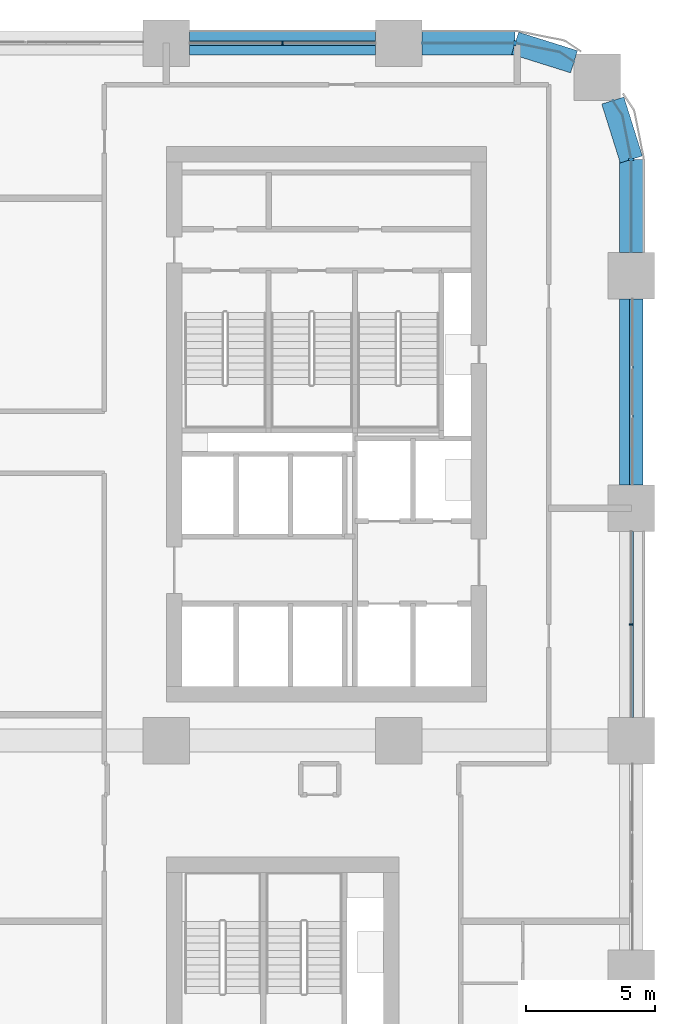
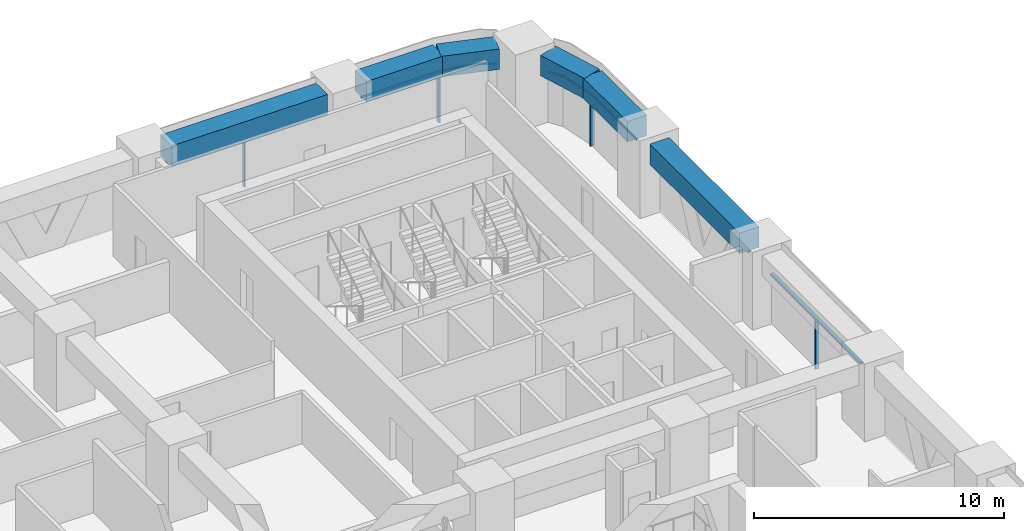
# One storey, part 10 of 24: 9 members, 6 beams, 5 elements without a shape of their own.
"""IFC4 building model written with IfcOpenShell, lengths in metres."""

from ifc_helpers import new_model, si_unit, direction, frame, origin, origin_2d, place, context, subcontext, project, spatial, polyline, rectangle, outline, extrude, material, material_profile, profile_set, type_object, element, aggregate, save


model = new_model("IFC4")

# Units and contexts
model_context = context("Model", 3, precision=1e-05, world=origin(), true_north=direction((0.0, 1.0)))
body_context = subcontext(model_context, "Body", "Model", "MODEL_VIEW")
ifc_project = project(units=[si_unit("LENGTHUNIT", "METRE"), si_unit("AREAUNIT", "SQUARE_METRE"), si_unit("VOLUMEUNIT", "CUBIC_METRE"), si_unit("PLANEANGLEUNIT", "RADIAN"), si_unit("MASSUNIT", "GRAM", prefix="KILO")], contexts=[model_context])

# Site, building, storey
site_placement = place(None, origin())
site = spatial("IfcSite", under=ifc_project, at=site_placement, CompositionType="ELEMENT")
building_placement = place(site_placement, origin())
building = spatial("IfcBuilding", under=site, at=building_placement, Name="Tessera Arch", CompositionType="ELEMENT")
storey_placement = place(building_placement, frame((0.0, 0.0, 38.60009765625)))
storey = spatial("IfcBuildingStorey", under=building, at=storey_placement, Name="L07", CompositionType="ELEMENT", Elevation=38.60009765625)

# Curtain wall, member
ifc_material_1 = material(Name="CW1 curtain wall")
curtain_wall_type_1 = type_object("IfcCurtainWallType", Name="CW1 curtain wall", PredefinedType="NOTDEFINED", material=ifc_material_1)
curtain_wall_1_placement = place(storey_placement, origin())
curtain_wall_1 = element("IfcCurtainWall", 1, at=curtain_wall_1_placement, inside=storey, type_object=curtain_wall_type_1, Name="CW1 curtain wall E54.0/3 L07", PredefinedType="NOTDEFINED")
ifc_material_2 = material(Name="Anodised aluminium pale metal", Category="aluminium")
ifc_material_profile_1 = material_profile(ifc_material_2, rectangle(XDim=0.159912109375, YDim=0.06005859375, at=origin_2d()), Name="AL 60x160")
ifc_profile_set_1 = profile_set([ifc_material_profile_1], Name="Anodised aluminium pale metal")
member_type_1 = type_object("IfcMemberType", Name="CW1 mullion", PredefinedType="MULLION", material=ifc_profile_set_1)
member_1_placement = place(storey_placement, frame((54.0, 31.5, 0.0), z_axis=(0.0, 0.0, 1.0), x_axis=(-1.0, 0.0, 0.0)))
member_1 = element("IfcMember", 2, at=member_1_placement, type_object=member_type_1, Name="CW1 mullion E54.0/3 1", PredefinedType="MULLION", context=body_context, shape_type="SweptSolid", body=[
    extrude(rectangle(XDim=0.159912109375, YDim=0.06005859375, at=origin_2d()), origin(), (0.0, 0.0, 1.0), 2.39990234375),
])

curtain_wall_2_placement = place(storey_placement, origin())
curtain_wall_2 = element("IfcCurtainWall", 3, at=curtain_wall_2_placement, inside=storey, type_object=curtain_wall_type_1, Name="CW1 curtain wall N54.0/1 L07", PredefinedType="NOTDEFINED")
member_2_placement = place(storey_placement, frame((40.5, 54.0, 0.0), z_axis=(0.0, 0.0, 1.0), x_axis=(0.0, -1.0, 0.0)))
member_2 = element("IfcMember", 4, at=member_2_placement, type_object=member_type_1, Name="CW1 mullion N54.0/1 1", PredefinedType="MULLION", context=body_context, shape_type="SweptSolid", body=[
    extrude(rectangle(XDim=0.159912109375, YDim=0.06005859375, at=origin_2d()), origin(), (0.0, 0.0, 1.0), 2.39990234375),
])

# Member
ifc_material_3 = material(Name="Anodised aluminium pale metal", Category="aluminium")
ifc_material_profile_2 = material_profile(ifc_material_3, rectangle(XDim=0.159912109375, YDim=0.10009765625, at=origin_2d()), Name="AL 160x100")
ifc_profile_set_2 = profile_set([ifc_material_profile_2], Name="Anodised aluminium pale metal")
member_type_2 = type_object("IfcMemberType", Name="CW1 transom", PredefinedType="USERDEFINED", material=ifc_profile_set_2)
member_3_placement = place(storey_placement, frame((54.0, 27.89990234375, 2.449951171875), z_axis=(0.0, 1.0, 0.0), x_axis=(-1.0, 0.0, 0.0)))
member_3 = element("IfcMember", 5, at=member_3_placement, type_object=member_type_2, Name="CW1 transom E54.0/3 1.1", ObjectType="TRANSOM", PredefinedType="USERDEFINED", context=body_context, shape_type="SweptSolid", body=[
    extrude(rectangle(XDim=0.159912109375, YDim=0.10009765625, at=origin_2d()), origin(), (0.0, 0.0, 1.0), 7.2001953125),
])

aggregate(curtain_wall_1, [member_1, member_3])

member_4_placement = place(storey_placement, frame((44.10009765625, 54.0, 2.449951171875), z_axis=(-1.0, 0.0, 0.0), x_axis=(0.0, -1.0, 0.0)))
member_4 = element("IfcMember", 6, at=member_4_placement, type_object=member_type_2, Name="CW1 transom N54.0/1 1.1", ObjectType="TRANSOM", PredefinedType="USERDEFINED", context=body_context, shape_type="SweptSolid", body=[
    extrude(rectangle(XDim=0.159912109375, YDim=0.10009765625, at=origin_2d()), origin(), (0.0, 0.0, 1.0), 7.2001953125),
])

aggregate(curtain_wall_2, [member_2, member_4])

# Curtain wall, member
ifc_material_4 = material(Name="CW2 curtain wall")
curtain_wall_type_2 = type_object("IfcCurtainWallType", Name="CW2 curtain wall", PredefinedType="NOTDEFINED", material=ifc_material_4)
curtain_wall_3_placement = place(storey_placement, origin())
curtain_wall_3 = element("IfcCurtainWall", 7, at=curtain_wall_3_placement, inside=storey, type_object=curtain_wall_type_2, Name="CW2 curtain wall E54.0/5 L07", PredefinedType="NOTDEFINED")
ifc_material_5 = material(Name="Anodised aluminium pale metal", Category="aluminium")
ifc_material_profile_3 = material_profile(ifc_material_5, rectangle(XDim=0.199951171875, YDim=0.080078125, at=origin_2d()), Name="AL 80x200")
ifc_profile_set_3 = profile_set([ifc_material_profile_3], Name="Anodised aluminium pale metal")
member_type_3 = type_object("IfcMemberType", Name="CW2 mullion", PredefinedType="MULLION", material=ifc_profile_set_3)
member_5_placement = place(storey_placement, frame((54.0, 49.5, 0.0), z_axis=(0.0, 0.0, 1.0), x_axis=(-1.0, 0.0, 0.0)))
member_5 = element("IfcMember", 8, at=member_5_placement, type_object=member_type_3, Name="CW2 mullion E54.0/5 1", PredefinedType="MULLION", context=body_context, shape_type="SweptSolid", body=[
    extrude(rectangle(XDim=0.199951171875, YDim=0.080078125, at=origin_2d()), origin(), (0.0, 0.0, 1.0), 2.39990234375),
])

curtain_wall_4_placement = place(storey_placement, origin())
curtain_wall_4 = element("IfcCurtainWall", 9, at=curtain_wall_4_placement, inside=storey, type_object=curtain_wall_type_2, Name="CW2 curtain wall N54.0/0 L07", PredefinedType="NOTDEFINED")
member_6_placement = place(storey_placement, frame((49.5, 54.0, 0.0), z_axis=(0.0, 0.0, 1.0), x_axis=(0.0, -1.0, 0.0)))
member_6 = element("IfcMember", 10, at=member_6_placement, type_object=member_type_3, Name="CW2 mullion N54.0/0 1", PredefinedType="MULLION", context=body_context, shape_type="SweptSolid", body=[
    extrude(rectangle(XDim=0.199951171875, YDim=0.080078125, at=origin_2d()), origin(), (0.0, 0.0, 1.0), 2.39990234375),
])

# Member
ifc_material_6 = material(Name="Anodised aluminium pale metal", Category="aluminium")
ifc_material_profile_4 = material_profile(ifc_material_6, rectangle(XDim=0.199951171875, YDim=0.10009765625, at=origin_2d()), Name="AL 200x100")
ifc_profile_set_4 = profile_set([ifc_material_profile_4], Name="Anodised aluminium pale metal")
member_type_4 = type_object("IfcMemberType", Name="CW2 transom", PredefinedType="USERDEFINED", material=ifc_profile_set_4)
member_7_placement = place(storey_placement, frame((0.0, 0.0, 2.39990234375)))
member_7 = element("IfcMember", 11, at=member_7_placement, type_object=member_type_4, Name="CW2 transom E54.0/5 1", ObjectType="TRANSOM", PredefinedType="USERDEFINED", context=body_context, shape_type="SweptSolid", body=[
    extrude(outline(polyline([(53.989990234375, 49.4990234375), (53.989990234375, 45.89990234375), (54.010009765625, 45.89990234375), (54.010009765625, 49.5009765625), (53.6669921875, 51.22607421875), (53.29150390625, 51.78759765625), (53.27490234375, 51.7763671875), (53.648193359375, 51.21826171875), (53.989990234375, 49.4990234375)])), origin(), (0.0, 0.0, 1.0), 0.10009765625),
])

aggregate(curtain_wall_3, [member_5, member_7])

member_8_placement = place(storey_placement, frame((0.0, 0.0, 2.39990234375)))
member_8 = element("IfcMember", 12, at=member_8_placement, type_object=member_type_4, Name="CW2 transom N54.0/0 1", ObjectType="TRANSOM", PredefinedType="USERDEFINED", context=body_context, shape_type="SweptSolid", body=[
    extrude(outline(polyline([(51.21826171875, 53.648193359375), (51.7763671875, 53.27490234375), (51.78759765625, 53.29150390625), (51.22607421875, 53.6669921875), (49.5009765625, 54.010009765625), (45.89990234375, 54.010009765625), (45.89990234375, 53.989990234375), (49.4990234375, 53.989990234375), (51.21826171875, 53.648193359375)])), origin(), (0.0, 0.0, 1.0), 0.10009765625),
])

aggregate(curtain_wall_4, [member_6, member_8])

# Curtain wall, member
ifc_material_7 = material(Name="CW3 curtain wall")
curtain_wall_type_3 = type_object("IfcCurtainWallType", Name="CW3 curtain wall", PredefinedType="NOTDEFINED", material=ifc_material_7)
curtain_wall_5_placement = place(storey_placement, origin())
curtain_wall_5 = element("IfcCurtainWall", 13, at=curtain_wall_5_placement, inside=storey, type_object=curtain_wall_type_3, Name="CW3 curtain wall E54.0/4 L07", PredefinedType="NOTDEFINED")
ifc_material_8 = material(Name="Anodised aluminium pale metal", Category="aluminium")
ifc_material_profile_5 = material_profile(ifc_material_8, rectangle(XDim=0.139892578125, YDim=0.10009765625, at=origin_2d()), Name="AL 140x100")
ifc_profile_set_5 = profile_set([ifc_material_profile_5], Name="Anodised aluminium pale metal")
member_type_5 = type_object("IfcMemberType", Name="CW3 transom", PredefinedType="USERDEFINED", material=ifc_profile_set_5)
member_9_placement = place(storey_placement, frame((54.0, 36.89990234375, 2.449951171875), z_axis=(0.0, 1.0, 0.0), x_axis=(-1.0, 0.0, 0.0)))
member_9 = element("IfcMember", 14, at=member_9_placement, type_object=member_type_5, Name="CW3 transom E54.0/4 1.1", ObjectType="TRANSOM", PredefinedType="USERDEFINED", context=body_context, shape_type="SweptSolid", body=[
    extrude(rectangle(XDim=0.139892578125, YDim=0.10009765625, at=origin_2d()), origin(), (0.0, 0.0, 1.0), 7.2001953125),
])
aggregate(curtain_wall_5, [member_9])

# Beams
ifc_material_9 = material(Name="Concrete C80/95", Category="concrete")
ifc_material_profile_6 = material_profile(ifc_material_9, rectangle(XDim=0.89990234375, YDim=1.0, at=origin_2d()), Name="RC spandrel beam 900 x 1000 Concrete C80/95")
ifc_profile_set_6 = profile_set([ifc_material_profile_6], Name="Concrete C80/95")
beam_type = type_object("IfcBeamType", Name="RC spandrel beam 900 x 1000 Concrete C80/95", PredefinedType="BEAM", material=ifc_profile_set_6)
beam_1_placement = place(storey_placement, frame((54.0, 36.89990234375, 3.0), z_axis=(0.0, 1.0, 0.0), x_axis=(-1.0, 0.0, 0.0)))
element("IfcBeam", 15, at=beam_1_placement, inside=storey, type_object=beam_type, Name="Spandrel beam L07 E54.0/4", PredefinedType="BEAM", context=body_context, shape_type="SweptSolid", body=[
    extrude(rectangle(XDim=0.89990234375, YDim=1.0, at=origin_2d()), origin(), (0.0, 0.0, 1.0), 7.2001953125),
])
beam_2_placement = place(storey_placement, frame((54.0, 45.89990234375, 3.0), z_axis=(0.0, 1.0, 0.0), x_axis=(-1.0, 0.0, 0.0)))
element("IfcBeam", 16, at=beam_2_placement, inside=storey, type_object=beam_type, Name="Spandrel beam L07 E54.0/5.1", PredefinedType="BEAM", context=body_context, shape_type="SweptSolid", body=[
    extrude(rectangle(XDim=0.89990234375, YDim=1.0, at=origin_2d()), origin(), (0.0, 0.0, 1.0), 3.60009765625),
])
for number, where, z_axis, x_axis, name in (
    (17, (54.0, 49.5, 3.0), (-0.299675309057, 0.954041251279, 0.0), (-0.954041251279, -0.299675309057, 0.0), "Spandrel beam L07 E54.0/5.2"),
    (18, (51.781982421875, 53.283203125, 3.0), (-0.954041251279, 0.299675309057, 0.0), (-0.299675309057, -0.954041251279, 0.0), "Spandrel beam L07 N54.0/0.1"),
):
    element("IfcBeam", number, at=place(storey_placement, frame(where, z_axis=z_axis, x_axis=x_axis)), inside=storey, type_object=beam_type, Name=name, PredefinedType="BEAM", context=body_context, shape_type="SweptSolid", body=[
        extrude(rectangle(XDim=0.89990234375, YDim=1.0, at=origin_2d()), origin(), (0.0, 0.0, 1.0), 2.391845703125),
    ])
beam_3_placement = place(storey_placement, frame((49.5, 54.0, 3.0), z_axis=(-1.0, 0.0, 0.0), x_axis=(0.0, -1.0, 0.0)))
element("IfcBeam", 19, at=beam_3_placement, inside=storey, type_object=beam_type, Name="Spandrel beam L07 N54.0/0.2", PredefinedType="BEAM", context=body_context, shape_type="SweptSolid", body=[
    extrude(rectangle(XDim=0.89990234375, YDim=1.0, at=origin_2d()), origin(), (0.0, 0.0, 1.0), 3.60009765625),
])
beam_4_placement = place(storey_placement, frame((44.10009765625, 54.0, 3.0), z_axis=(-1.0, 0.0, 0.0), x_axis=(0.0, -1.0, 0.0)))
element("IfcBeam", 20, at=beam_4_placement, inside=storey, type_object=beam_type, Name="Spandrel beam L07 N54.0/1", PredefinedType="BEAM", context=body_context, shape_type="SweptSolid", body=[
    extrude(rectangle(XDim=0.89990234375, YDim=1.0, at=origin_2d()), origin(), (0.0, 0.0, 1.0), 7.2001953125),
])

save(model, "model.ifc")
